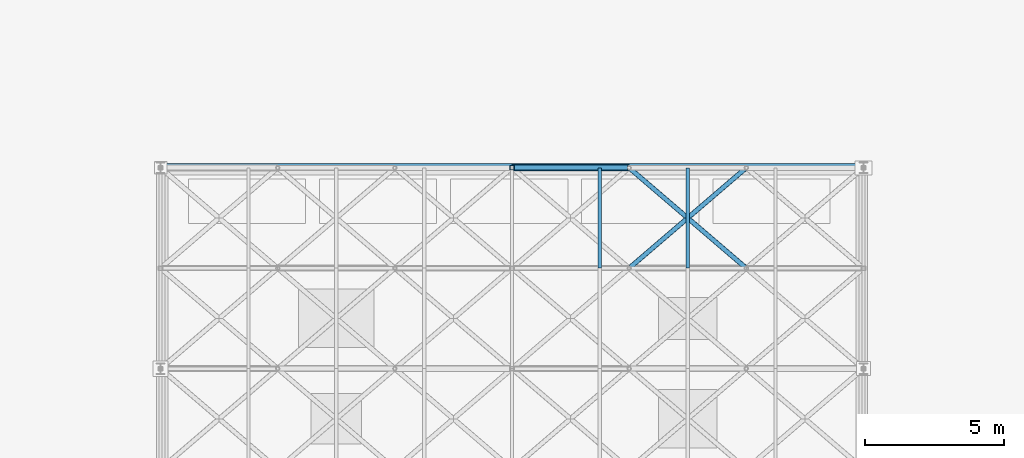
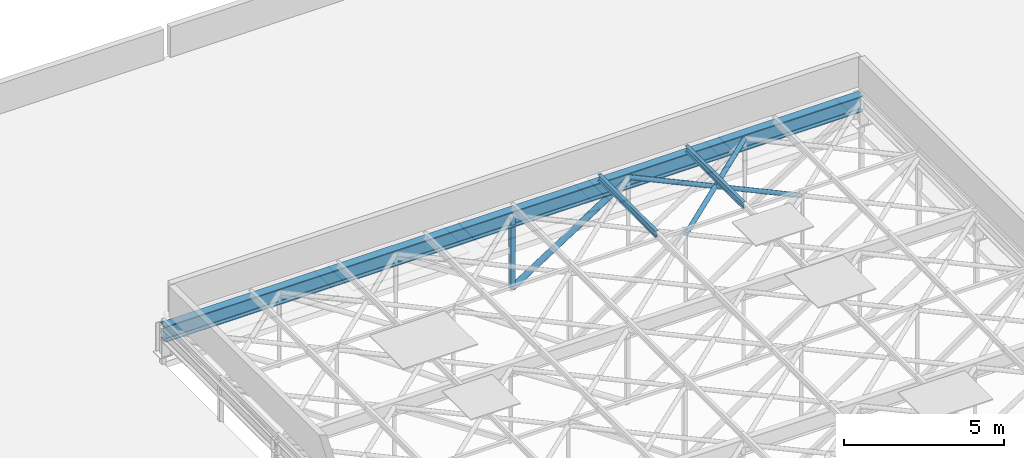
# One storey, part 25 of 45: 6 members, 1 beam.
"""IFC4 building model written with IfcOpenShell, lengths in metres."""

from ifc_helpers import new_model, si_unit, derived_unit, direction, frame, origin, origin_2d, place, context, subcontext, project, spatial, hollow_rectangle, hollow_circle, i_section, extrude, material, material_profile, profile_set, type_object, element, save


model = new_model("IFC4")

# Units and contexts
model_context = context("Model", 3, precision=1e-05, world=origin(), true_north=direction((0.0, 1.0)))
body_context = subcontext(model_context, "Body", "Model", "MODEL_VIEW")
ifc_project = project(units=[si_unit("LENGTHUNIT", "METRE"), si_unit("AREAUNIT", "SQUARE_METRE"), si_unit("VOLUMEUNIT", "CUBIC_METRE"), si_unit("PLANEANGLEUNIT", "RADIAN"), si_unit("MASSUNIT", "GRAM", prefix="KILO"), derived_unit("THERMALTRANSMITTANCEUNIT", [(si_unit("MASSUNIT", "GRAM", prefix="KILO"), 1), (si_unit("TIMEUNIT", "SECOND"), -3), (si_unit("THERMODYNAMICTEMPERATUREUNIT", "KELVIN"), -1)])], contexts=[model_context])

# Site, building, storey
site_placement = place(None, origin())
site = spatial("IfcSite", under=ifc_project, at=site_placement, CompositionType="ELEMENT")
building_placement = place(site_placement, origin())
building = spatial("IfcBuilding", under=site, at=building_placement, Name="Veldstrom Oceanarium and Marine Research Institute", CompositionType="ELEMENT")
storey_placement = place(building_placement, frame((0.0, 0.0, 22.199951171875)))
storey = spatial("IfcBuildingStorey", under=building, at=storey_placement, Name="L04", CompositionType="ELEMENT", Elevation=22.199951171875)

# Beam
ifc_material_1 = material(Name="Steel S355JR", Category="steel")
ifc_material_profile_1 = material_profile(ifc_material_1, i_section(OverallWidth=0.300048828125, OverallDepth=0.60009765625, WebThickness=0.015380859375, FlangeThickness=0.030029296875, FilletRadius=0.027099609375, at=origin_2d()), Name="HEB 600")
ifc_profile_set_1 = profile_set([ifc_material_profile_1], Name="Steel S355JR")
beam_type = type_object("IfcBeamType", Name="STR-BM-SB3", PredefinedType="BEAM", material=ifc_profile_set_1)
beam_placement = place(storey_placement, frame((16.800048828125, 57.60009765625, 0.81005859375), z_axis=(1.0, 0.0, 0.0), x_axis=(0.0, 1.0, 0.0)))
element("IfcBeam", 1, at=beam_placement, inside=storey, type_object=beam_type, Name="Aquarium Roof Truss Top-Chord Girder RT13", PredefinedType="BEAM", context=body_context, shape_type="SweptSolid", body=[
    extrude(i_section(OverallWidth=0.300048828125, OverallDepth=0.60009765625, WebThickness=0.015380859375, FlangeThickness=0.030029296875, FilletRadius=0.027099609375, at=origin_2d()), origin(), (0.0, 0.0, 1.0), 25.199951171875),
])

# Members
ifc_material_2 = material(Name="Steel S355JR", Category="steel")
ifc_material_profile_2 = material_profile(ifc_material_2, hollow_circle(Radius=0.109619140625, WallThickness=0.012451171875, at=origin_2d()), Name="CHS 219.1x12.5")
ifc_profile_set_2 = profile_set([ifc_material_profile_2], Name="Steel S355JR")
member_type_1 = type_object("IfcMemberType", Name="STR-MEM-BR1", PredefinedType="BRACE", material=ifc_profile_set_2)
member_1_placement = place(storey_placement, frame((29.39990234375, 57.60009765625, -1.89990234375), z_axis=(0.840282293113, 0.0, 0.542149119598), x_axis=(0.0, 1.0, 0.0)))
element("IfcMember", 2, at=member_1_placement, inside=storey, type_object=member_type_1, Name="Truss Web Diagonal RT13-4", PredefinedType="BRACE", context=body_context, shape_type="SweptSolid", body=[
    extrude(hollow_circle(Radius=0.109619140625, WallThickness=0.012451171875, at=origin_2d()), origin(), (0.0, 0.0, 1.0), 4.99853515625),
])
ifc_material_3 = material(Name="Steel S355JR", Category="steel")
ifc_material_profile_3 = material_profile(ifc_material_3, hollow_circle(Radius=0.084228515625, WallThickness=0.008056640625, at=origin_2d()), Name="CHS 168.3x8")
ifc_profile_set_3 = profile_set([ifc_material_profile_3], Name="Steel S355JR")
member_type_2 = type_object("IfcMemberType", Name="STR-MEM-BR3", PredefinedType="BRACE", material=ifc_profile_set_3)
for number, where, z_axis, x_axis, name in (
    (3, (33.60009765625, 54.0, 0.860107421875), (0.759244140748, 0.650805911728, 0.0), (-0.650805911728, 0.759244140748, 0.0), "Roof Plan Wind Brace WB-12-5"),
    (4, (37.800048828125, 54.0, 0.860107421875), (-0.759244140748, 0.650805911728, 0.0), (-0.650805911728, -0.759244140748, 0.0), "Roof Plan Counter Wind Brace WB-12-5B"),
):
    element("IfcMember", number, at=place(storey_placement, frame(where, z_axis=z_axis, x_axis=x_axis)), inside=storey, type_object=member_type_2, Name=name, PredefinedType="BRACE", context=body_context, shape_type="SweptSolid", body=[
        extrude(hollow_circle(Radius=0.084228515625, WallThickness=0.008056640625, at=origin_2d()), origin(), (0.0, 0.0, 1.0), 5.53173828125),
    ])
ifc_material_4 = material(Name="Steel S355JR", Category="steel")
ifc_material_profile_4 = material_profile(ifc_material_4, i_section(OverallWidth=0.1201171875, OverallDepth=0.239990234375, WebThickness=0.006103515625, FlangeThickness=0.009765625, FilletRadius=0.014892578125, at=origin_2d()), Name="IPE 240")
ifc_profile_set_4 = profile_set([ifc_material_profile_4], Name="Steel S355JR")
member_type_3 = type_object("IfcMemberType", Name="STR-MEM-PR1", PredefinedType="PURLIN", material=ifc_profile_set_4)
for number, where, z_axis, x_axis, name in (
    (5, (32.550048828125, 54.0, 1.22998046875), (0.0, 1.0, 0.0), (-1.0, 0.0, 0.0), "Hall Roof Purlin PR-13-6"),
    (6, (35.699951171875, 54.0, 1.22998046875), (0.0, 1.0, 0.0), (-1.0, 0.0, 0.0), "Hall Roof Purlin PR-13-7"),
):
    element("IfcMember", number, at=place(storey_placement, frame(where, z_axis=z_axis, x_axis=x_axis)), inside=storey, type_object=member_type_3, Name=name, PredefinedType="PURLIN", context=body_context, shape_type="SweptSolid", body=[
        extrude(i_section(OverallWidth=0.1201171875, OverallDepth=0.239990234375, WebThickness=0.006103515625, FlangeThickness=0.009765625, FilletRadius=0.014892578125, at=origin_2d()), origin(), (0.0, 0.0, 1.0), 3.60009765625),
    ])
ifc_material_5 = material(Name="Steel S355JR", Category="steel")
ifc_material_profile_5 = material_profile(ifc_material_5, hollow_rectangle(XDim=0.14990234375, YDim=0.14990234375, WallThickness=0.010009765625, at=origin_2d()), Name="SHS 150x150x10")
ifc_profile_set_5 = profile_set([ifc_material_profile_5], Name="Steel S355JR")
member_type_4 = type_object("IfcMemberType", Name="STR-MEM-PS1", PredefinedType="POST", material=ifc_profile_set_5)
member_2_placement = place(storey_placement, frame((29.39990234375, 57.60009765625, -1.89990234375), z_axis=(0.0, 0.0, 1.0), x_axis=(1.0, 0.0, 0.0)))
element("IfcMember", 7, at=member_2_placement, inside=storey, type_object=member_type_4, Name="Truss Vertical Post RT13-4", PredefinedType="POST", context=body_context, shape_type="SweptSolid", body=[
    extrude(hollow_rectangle(XDim=0.14990234375, YDim=0.14990234375, WallThickness=0.010009765625, at=origin_2d()), origin(), (0.0, 0.0, 1.0), 2.7099609375),
])

save(model, "model.ifc")
